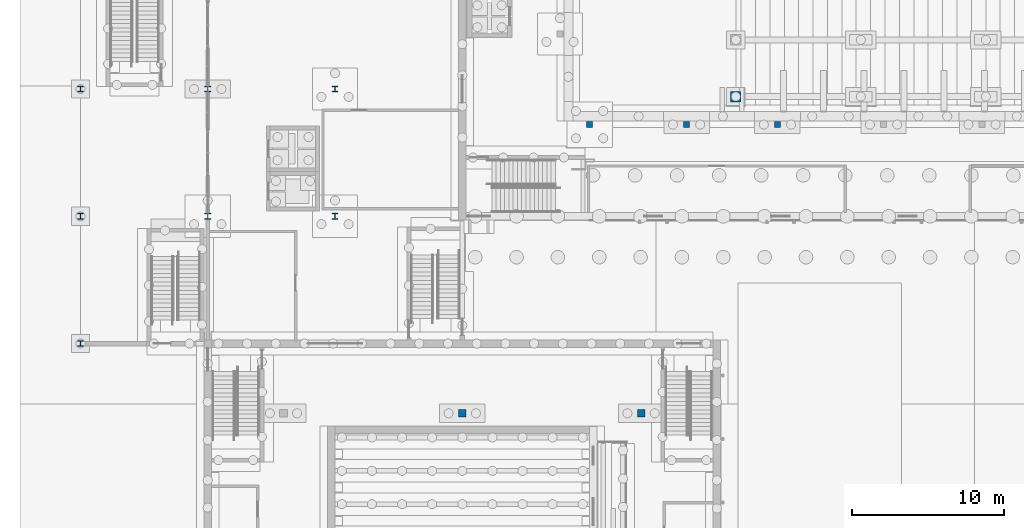
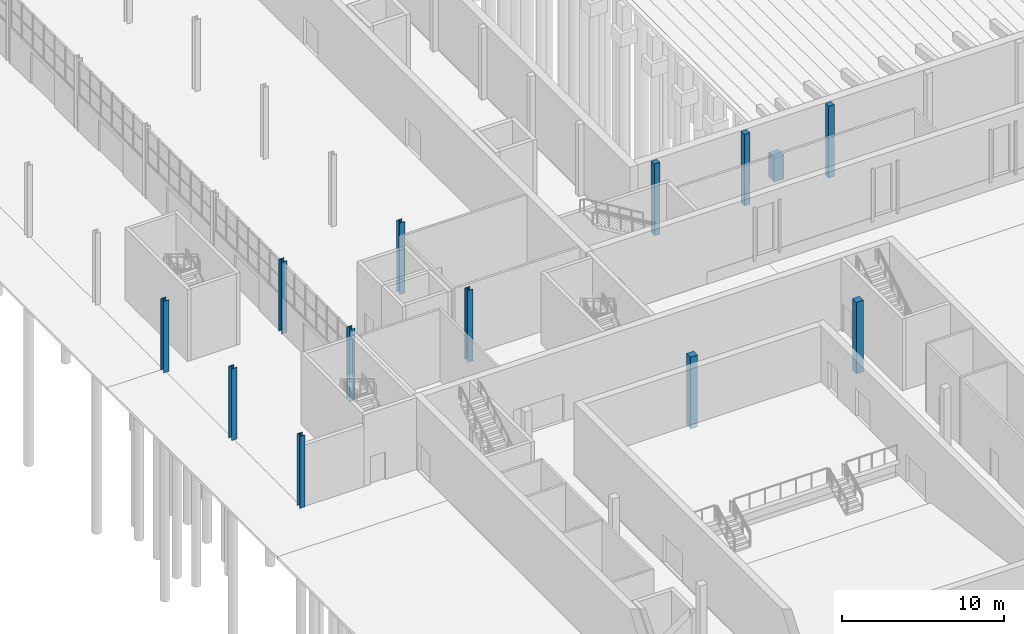
# One storey, part 18 of 127: 13 columns.
"""IFC4 building model written with IfcOpenShell, lengths in metres."""

from ifc_helpers import new_model, si_unit, direction, frame, origin, origin_2d, place, context, subcontext, project, spatial, rectangle, i_section, extrude, material, material_profile, profile_set, type_object, element, save


model = new_model("IFC4")

# Units and contexts
model_context = context("Model", 3, precision=1e-05, world=origin(), true_north=direction((0.0, 1.0)))
body_context = subcontext(model_context, "Body", "Model", "MODEL_VIEW")
ifc_project = project(units=[si_unit("LENGTHUNIT", "METRE"), si_unit("AREAUNIT", "SQUARE_METRE"), si_unit("VOLUMEUNIT", "CUBIC_METRE"), si_unit("PLANEANGLEUNIT", "RADIAN"), si_unit("MASSUNIT", "GRAM", prefix="KILO")], contexts=[model_context])

# Site, building, storey
site_placement = place(None, origin())
site = spatial("IfcSite", under=ifc_project, at=site_placement, CompositionType="ELEMENT")
building_placement = place(site_placement, origin())
building = spatial("IfcBuilding", under=site, at=building_placement, Name="Ljudholm Concert House", CompositionType="ELEMENT")
storey_placement = place(building_placement, origin())
storey = spatial("IfcBuildingStorey", under=building, at=storey_placement, Name="L00", CompositionType="ELEMENT", Elevation=0.0)

# Columns
ifc_material_1 = material(Name="Concrete 6,500 psi", Category="concrete")
ifc_material_profile_1 = material_profile(ifc_material_1, rectangle(XDim=0.39990234375, YDim=0.39990234375, at=origin_2d()), Name="RC COLUMN 400x400")
ifc_profile_set_1 = profile_set([ifc_material_profile_1], Name="Concrete 6,500 psi")
column_type_1 = type_object("IfcColumnType", Name="RC COLUMN 400x400", PredefinedType="COLUMN", material=ifc_profile_set_1)
for number, where, z_axis, x_axis, name in (
    (1, (37.60009765625, 60.449951171875, 0.0), (0.0, 0.0, 1.0), (1.0, 0.0, 0.0), "Ring column"),
    (2, (44.0, 60.449951171875, 0.0), (0.0, 0.0, 1.0), (1.0, 0.0, 0.0), "Ring column"),
    (3, (50.0, 60.449951171875, 0.0), (0.0, 0.0, 1.0), (1.0, 0.0, 0.0), "Ring column"),
):
    element("IfcColumn", number, at=place(storey_placement, frame(where, z_axis=z_axis, x_axis=x_axis)), inside=storey, type_object=column_type_1, Name=name, PredefinedType="COLUMN", context=body_context, shape_type="SweptSolid", body=[
        extrude(rectangle(XDim=0.39990234375, YDim=0.39990234375, at=origin_2d()), origin(), (0.0, 0.0, 1.0), 5.39990234375),
    ])
ifc_material_2 = material(Name="Concrete 6,500 psi", Category="concrete")
ifc_material_profile_2 = material_profile(ifc_material_2, rectangle(XDim=0.5, YDim=0.5, at=origin_2d()), Name="RC COLUMN 500x500")
ifc_profile_set_2 = profile_set([ifc_material_profile_2], Name="Concrete 6,500 psi")
column_type_2 = type_object("IfcColumnType", Name="RC COLUMN 500x500", PredefinedType="COLUMN", material=ifc_profile_set_2)
for number, where, z_axis, x_axis, name in (
    (4, (29.199951171875, 41.39990234375, 0.0), (0.0, 0.0, 1.0), (1.0, 0.0, 0.0), "Ring column"),
    (5, (41.0, 41.39990234375, 0.0), (0.0, 0.0, 1.0), (1.0, 0.0, 0.0), "Ring column"),
):
    element("IfcColumn", number, at=place(storey_placement, frame(where, z_axis=z_axis, x_axis=x_axis)), inside=storey, type_object=column_type_2, Name=name, PredefinedType="COLUMN", context=body_context, shape_type="SweptSolid", body=[
        extrude(rectangle(XDim=0.5, YDim=0.5, at=origin_2d()), origin(), (0.0, 0.0, 1.0), 5.39990234375),
    ])
ifc_material_3 = material(Name="Concrete 6,500 psi", Category="concrete")
ifc_material_profile_3 = material_profile(ifc_material_3, rectangle(XDim=0.699951171875, YDim=0.699951171875, at=origin_2d()), Name="RC COLUMN 700x700")
ifc_profile_set_3 = profile_set([ifc_material_profile_3], Name="Concrete 6,500 psi")
column_type_3 = type_object("IfcColumnType", Name="RC COLUMN 700x700", PredefinedType="COLUMN", material=ifc_profile_set_3)
column_placement = place(storey_placement, frame((47.25, 62.300048828125, -0.300048828125), z_axis=(0.0, 0.0, 1.0), x_axis=(1.0, 0.0, 0.0)))
element("IfcColumn", 6, at=column_placement, inside=storey, type_object=column_type_3, Name="Column pedestal", PredefinedType="COLUMN", context=body_context, shape_type="SweptSolid", body=[
    extrude(rectangle(XDim=0.699951171875, YDim=0.699951171875, at=origin_2d()), origin(), (0.0, 0.0, 1.0), 1.800048828125),
])
ifc_material_4 = material(Name="Steel ASTM A992", Category="steel")
ifc_material_profile_4 = material_profile(ifc_material_4, i_section(OverallWidth=0.373291015625, OverallDepth=0.373291015625, WebThickness=0.016357421875, FlangeThickness=0.026123046875, FilletRadius=0.01513671875, at=origin_2d()), Name="W14X132")
ifc_profile_set_4 = profile_set([ifc_material_profile_4], Name="Steel ASTM A992")
column_type_4 = type_object("IfcColumnType", Name="STEEL COLUMN W14X132", PredefinedType="COLUMN", material=ifc_profile_set_4)
for number, where, z_axis, x_axis, name in (
    (7, (4.0, 46.0, 0.0), (0.0, 0.0, 1.0), (1.0, 0.0, 0.0), "Column W14X132"),
    (8, (4.0, 54.39990234375, 0.0), (0.0, 0.0, 1.0), (1.0, 0.0, 0.0), "Column W14X132"),
    (9, (4.0, 62.800048828125, 0.0), (0.0, 0.0, 1.0), (1.0, 0.0, 0.0), "Column W14X132"),
    (10, (12.39990234375, 54.39990234375, 0.0), (0.0, 0.0, 1.0), (1.0, 0.0, 0.0), "Column W14X132"),
    (11, (12.39990234375, 62.800048828125, 0.0), (0.0, 0.0, 1.0), (1.0, 0.0, 0.0), "Column W14X132"),
    (12, (20.800048828125, 54.39990234375, 0.0), (0.0, 0.0, 1.0), (1.0, 0.0, 0.0), "Column W14X132"),
    (13, (20.800048828125, 62.800048828125, 0.0), (0.0, 0.0, 1.0), (1.0, 0.0, 0.0), "Column W14X132"),
):
    element("IfcColumn", number, at=place(storey_placement, frame(where, z_axis=z_axis, x_axis=x_axis)), inside=storey, type_object=column_type_4, Name=name, PredefinedType="COLUMN", context=body_context, shape_type="SweptSolid", body=[
        extrude(i_section(OverallWidth=0.373291015625, OverallDepth=0.373291015625, WebThickness=0.016357421875, FlangeThickness=0.026123046875, FilletRadius=0.01513671875, at=origin_2d()), origin(), (0.0, 0.0, 1.0), 5.39990234375),
    ])

save(model, "model.ifc")
